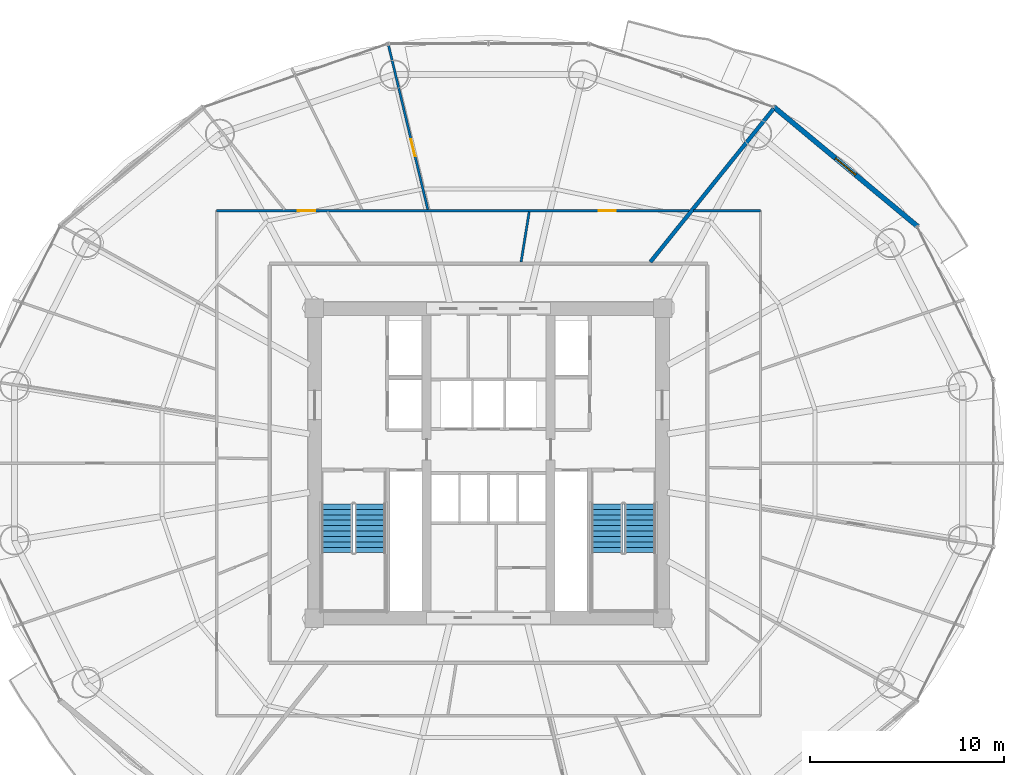
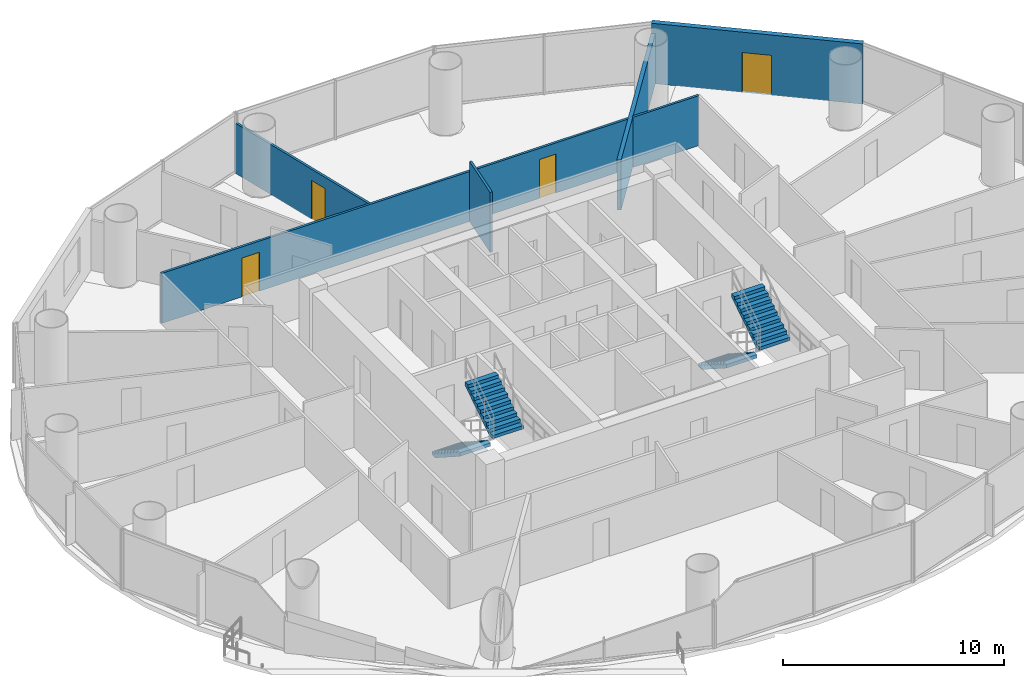
# One storey, part 25 of 29: 6 walls, 4 doors, 4 stair flights, 4 openings, 2 elements without a shape of their own.
"""IFC4 building model written with IfcOpenShell, lengths in metres."""

from ifc_helpers import new_model, si_unit, direction, frame, frame_2d, origin, place, context, subcontext, project, spatial, polyline, rectangle, outline, extrude, source, transform, mapped, material, layer, layer_set, type_object, element, fill, aggregate, save


model = new_model("IFC4")

# Units and contexts
model_context = context("Model", 3, precision=1e-05, world=origin(), true_north=direction((-0.2419218956, 0.970295726276)))
body_context = subcontext(model_context, "Body", "Model", "MODEL_VIEW")
ifc_project = project(units=[si_unit("LENGTHUNIT", "METRE"), si_unit("AREAUNIT", "SQUARE_METRE"), si_unit("VOLUMEUNIT", "CUBIC_METRE"), si_unit("PLANEANGLEUNIT", "RADIAN"), si_unit("MASSUNIT", "GRAM", prefix="KILO")], contexts=[model_context])

# Site, building, storey
site_placement = place(None, origin())
site = spatial("IfcSite", under=ifc_project, at=site_placement, CompositionType="ELEMENT")
building_placement = place(site_placement, origin())
building = spatial("IfcBuilding", under=site, at=building_placement, Name="Cobrevalo Terracotta Tower", CompositionType="ELEMENT")
storey_placement = place(building_placement, frame((0.0, 0.0, 112.199951171875)))
storey = spatial("IfcBuildingStorey", under=building, at=storey_placement, Name="L29", CompositionType="ELEMENT", Elevation=112.199951171875)

# Wall
ifc_material_1 = material(Name="Autoclaved aerated concrete block", Category="concrete")
ifc_layer_1 = layer(ifc_material_1, 0.199951171875)
ifc_layer_set_1 = layer_set([ifc_layer_1], Name="Autoclaved aerated concrete block")
wall_type_1 = type_object("IfcWallType", Name="Fire-rated stair, shaft & demising masonry wall 200 mm", PredefinedType="PARTITIONING", material=ifc_layer_set_1)
wall_1_placement = place(storey_placement, frame((46.35205078125, 37.18505859375, 0.0), z_axis=(0.0, 0.0, 1.0), x_axis=(0.626712884514, 0.779250255299, 0.0)))
element("IfcWall", 1, at=wall_1_placement, inside=storey, type_object=wall_type_1, Name="L29 interior partition IW-L29-DEM-1", PredefinedType="PARTITIONING", context=body_context, shape_type="SweptSolid", body=[
    extrude(rectangle(XDim=10.140869140625, YDim=0.199951171875, at=frame_2d((5.0703125, 0.0))), origin(), (0.0, 0.0, 1.0), 2.76708984375),
])

# Wall, opening, door
ifc_layer_2 = layer(ifc_material_1, 0.260009765625)
ifc_layer_set_2 = layer_set([ifc_layer_2], Name="Autoclaved aerated concrete block")
wall_type_2 = type_object("IfcWallType", Name="Recessed balcony loggia insulated exterior wall 260 mm", PredefinedType="SOLIDWALL", material=ifc_layer_set_2)
wall_2_placement = place(storey_placement, frame((60.15380859375, 39.01025390625, 0.0), z_axis=(0.0, 0.0, 1.0), x_axis=(-0.769242574941, 0.638956853706, 0.0)))
wall_2 = element("IfcWall", 2, at=wall_2_placement, inside=storey, type_object=wall_type_2, Name="L29 balcony loggia wall S02", PredefinedType="SOLIDWALL", context=body_context, shape_type="SweptSolid", body=[
    extrude(rectangle(XDim=9.68994140625, YDim=0.260009765625, at=frame_2d((4.844970703125, 0.0))), origin(), (0.0, 0.0, 1.0), 3.324951171875),
])
opening_1_placement = place(wall_2_placement, frame((4.169921875, 0.0, 0.0)))
opening_1 = element("IfcOpeningElement", 3, at=opening_1_placement, cuts=wall_2, Name="Opening ED-05", PredefinedType="OPENING", context=body_context, shape_type="SweptSolid", body=[
    extrude(rectangle(XDim=1.35009765625, YDim=2.199951171875, at=frame_2d((0.675048828125, 1.10009765625))), frame((0.0, 0.14013671875, 0.0), z_axis=(0.0, -1.0, 0.0), x_axis=(1.0, 0.0, 0.0)), (0.0, 0.0, 1.0), 0.280029296875),
])
ifc_material_2 = material(Name="Anodized aluminium and laminated glass", Category="aluminium")
door_type_1 = type_object("IfcDoorType", Name="Suite balcony acoustic glazed terrace door 1350x2200", OperationType="NOTDEFINED", PredefinedType="DOOR", material=ifc_material_2)
shared_shape_1 = source(origin(), body_context, "Body", "SweptSolid", [
    extrude(rectangle(XDim=1.35009765625, YDim=2.199951171875, at=frame_2d((0.675048828125, 1.10009765625))), frame((0.0, 0.02490234375, 0.0), z_axis=(0.0, -1.0, 0.0), x_axis=(1.0, 0.0, 0.0)), (0.0, 0.0, 1.0), 0.050048828125),
])
door_1_placement = place(opening_1_placement, frame((1.35009765625, 0.0, 0.0), z_axis=(0.0, 0.0, 1.0), x_axis=(-1.0, 0.0, 0.0)))
door_1 = element("IfcDoor", 4, at=door_1_placement, inside=storey, type_object=door_type_1, Name="L29 glazed balcony terrace door 1", OperationType="SINGLE_SWING_LEFT", OverallHeight=2.199951171875, OverallWidth=1.35009765625, PredefinedType="DOOR", context=body_context, shape_type="MappedRepresentation", body=[
    mapped(shared_shape_1, transform((0.0, 0.0, 0.0), scale=1.0)),
])
fill(opening_1, door_1)

# Wall, openings, doors
ifc_material_3 = material(Name="Gypsum board on steel stud", Category="steel")
ifc_layer_3 = layer(ifc_material_3, 0.1201171875)
ifc_layer_set_3 = layer_set([ifc_layer_3], Name="Gypsum board on steel stud")
wall_type_3 = type_object("IfcWallType", Name="Residential internal acoustic stud partition 120 mm", PredefinedType="PARTITIONING", material=ifc_layer_set_3)
wall_3_placement = place(storey_placement, frame((23.965087890625, 39.8349609375, 0.0), z_axis=(0.0, 0.0, 1.0), x_axis=(1.0, 0.0, 0.0)))
wall_3 = element("IfcWall", 5, at=wall_3_placement, inside=storey, type_object=wall_type_3, Name="L29 interior partition IW-L29-U1-RING2_0", PredefinedType="PARTITIONING", context=body_context, shape_type="SweptSolid", body=[
    extrude(rectangle(XDim=24.416015625, YDim=0.1201171875, at=frame_2d((12.2080078125, 0.0))), origin(), (0.0, 0.0, 1.0), 2.76708984375),
])
opening_2_placement = place(wall_3_placement, frame((4.192138671875, 0.0, 0.0)))
opening_2 = element("IfcOpeningElement", 6, at=opening_2_placement, cuts=wall_3, Name="Opening ID-12", PredefinedType="OPENING", context=body_context, shape_type="SweptSolid", body=[
    extrude(rectangle(XDim=0.89990234375, YDim=2.14990234375, at=frame_2d((0.449951171875, 1.074951171875))), frame((0.0, 0.070068359375, 0.0), z_axis=(0.0, -1.0, 0.0), x_axis=(1.0, 0.0, 0.0)), (0.0, 0.0, 1.0), 0.14013671875),
])
opening_3_placement = place(wall_3_placement, frame((19.727783203125, 0.0, 0.0)))
opening_3 = element("IfcOpeningElement", 7, at=opening_3_placement, cuts=wall_3, Name="Opening ID-19", PredefinedType="OPENING", context=body_context, shape_type="SweptSolid", body=[
    extrude(rectangle(XDim=0.860107421875, YDim=2.14990234375, at=frame_2d((0.43017578125, 1.074951171875))), frame((0.0, 0.070068359375, 0.0), z_axis=(0.0, -1.0, 0.0), x_axis=(1.0, 0.0, 0.0)), (0.0, 0.0, 1.0), 0.14013671875),
])
ifc_material_4 = material(Name="Moisture-sealed timber", Category="wood")
door_type_2 = type_object("IfcDoorType", Name="Suite bathroom internal timber door 860x2150", OperationType="NOTDEFINED", PredefinedType="DOOR", material=ifc_material_4)
shared_shape_2 = source(origin(), body_context, "Body", "SweptSolid", [
    extrude(rectangle(XDim=0.860107421875, YDim=2.14990234375, at=frame_2d((0.43017578125, 1.074951171875))), frame((0.0, 0.02490234375, 0.0), z_axis=(0.0, -1.0, 0.0), x_axis=(1.0, 0.0, 0.0)), (0.0, 0.0, 1.0), 0.050048828125),
])
door_2_placement = place(opening_3_placement, frame((0.860107421875, 0.0, 0.0), z_axis=(0.0, 0.0, 1.0), x_axis=(-1.0, 0.0, 0.0)))
door_2 = element("IfcDoor", 8, at=door_2_placement, inside=storey, type_object=door_type_2, Name="Flat L29A Guest Bathroom internal door", OperationType="SINGLE_SWING_LEFT", OverallHeight=2.14990234375, OverallWidth=0.860107421875, PredefinedType="DOOR", context=body_context, shape_type="MappedRepresentation", body=[
    mapped(shared_shape_2, transform((0.0, 0.0, 0.0), scale=1.0)),
])
fill(opening_3, door_2)
ifc_material_5 = material(Name="Engineered timber", Category="wood")
door_type_3 = type_object("IfcDoorType", Name="Internal residence & suite timber door 900x2150", OperationType="NOTDEFINED", PredefinedType="DOOR", material=ifc_material_5)
shared_shape_3 = source(origin(), body_context, "Body", "SweptSolid", [
    extrude(rectangle(XDim=0.89990234375, YDim=2.14990234375, at=frame_2d((0.449951171875, 1.074951171875))), frame((0.0, 0.02490234375, 0.0), z_axis=(0.0, -1.0, 0.0), x_axis=(1.0, 0.0, 0.0)), (0.0, 0.0, 1.0), 0.050048828125),
])
door_3_placement = place(opening_2_placement, origin())
door_3 = element("IfcDoor", 9, at=door_3_placement, inside=storey, type_object=door_type_3, Name="Flat L29A Principal Guest Bedroom internal door", OperationType="SINGLE_SWING_LEFT", OverallHeight=2.14990234375, OverallWidth=0.89990234375, PredefinedType="DOOR", context=body_context, shape_type="MappedRepresentation", body=[
    mapped(shared_shape_3, transform((0.0, 0.0, 0.0), scale=1.0)),
])
fill(opening_2, door_3)

# Wall, opening, door
wall_4_placement = place(storey_placement, frame((34.86474609375, 39.895263671875, 0.0), z_axis=(0.0, 0.0, 1.0), x_axis=(-0.23282725047, 0.97251810854, 0.0)))
wall_4 = element("IfcWall", 10, at=wall_4_placement, inside=storey, type_object=wall_type_3, Name="L29 interior partition IW-L29-U1-ORAD1", PredefinedType="PARTITIONING", context=body_context, shape_type="SweptSolid", body=[
    extrude(rectangle(XDim=8.71484375, YDim=0.1201171875, at=frame_2d((4.357421875, 0.0))), origin(), (0.0, 0.0, 1.0), 2.76708984375),
])
opening_4_placement = place(wall_4_placement, frame((2.83056640625, 0.0, 0.0)))
opening_4 = element("IfcOpeningElement", 11, at=opening_4_placement, cuts=wall_4, Name="Opening ID-12", PredefinedType="OPENING", context=body_context, shape_type="SweptSolid", body=[
    extrude(rectangle(XDim=0.89990234375, YDim=2.14990234375, at=frame_2d((0.449951171875, 1.074951171875))), frame((0.0, 0.070068359375, 0.0), z_axis=(0.0, -1.0, 0.0), x_axis=(1.0, 0.0, 0.0)), (0.0, 0.0, 1.0), 0.14013671875),
])
door_4_placement = place(opening_4_placement, frame((0.89990234375, 0.0, 0.0), z_axis=(0.0, 0.0, 1.0), x_axis=(-1.0, 0.0, 0.0)))
door_4 = element("IfcDoor", 12, at=door_4_placement, inside=storey, type_object=door_type_3, Name="Flat L29A Penthouse Living and Dining Room internal door", OperationType="SINGLE_SWING_RIGHT", OverallHeight=2.14990234375, OverallWidth=0.89990234375, PredefinedType="DOOR", context=body_context, shape_type="MappedRepresentation", body=[
    mapped(shared_shape_3, transform((0.0, 0.0, 0.0), scale=1.0)),
])
fill(opening_4, door_4)

# Walls
wall_5_placement = place(storey_placement, frame((39.678955078125, 37.18505859375, 0.0), z_axis=(0.0, 0.0, 1.0), x_axis=(0.159580767408, 0.98718487563, 0.0)))
element("IfcWall", 13, at=wall_5_placement, inside=storey, type_object=wall_type_3, Name="L29 interior partition IW-L29-U1-IRAD1", PredefinedType="PARTITIONING", context=body_context, shape_type="SweptSolid", body=[
    extrude(rectangle(XDim=2.622314453125, YDim=0.1201171875, at=frame_2d((1.31103515625, 0.0))), origin(), (0.0, 0.0, 1.0), 3.324951171875),
])
wall_6_placement = place(storey_placement, frame((48.585205078125, 39.8349609375, 0.0), z_axis=(0.0, 0.0, 1.0), x_axis=(1.0, 0.0, 0.0)))
element("IfcWall", 14, at=wall_6_placement, inside=storey, type_object=wall_type_3, Name="L29 interior partition IW-L29-U2-RING0_0", PredefinedType="PARTITIONING", context=body_context, shape_type="SweptSolid", body=[
    extrude(rectangle(XDim=3.44970703125, YDim=0.1201171875, at=frame_2d((1.724853515625, 0.0))), origin(), (0.0, 0.0, 1.0), 2.76708984375),
])

# Stair, stair flights
ifc_material_6 = material(Name="Concrete C50", Category="concrete")
stair_type = type_object("IfcStairType", Name="Core protected escape dogleg stair 1600", PredefinedType="HALF_TURN_STAIR", material=ifc_material_6)
stair_1_placement = place(storey_placement, origin())
stair_1 = element("IfcStair", 15, at=stair_1_placement, inside=storey, type_object=stair_type, Name="L29 Protected exit stair ST-1", PredefinedType="HALF_TURN_STAIR")
stair_flight_type = type_object("IfcStairFlightType", Name="Core protected escape dogleg stair 1600 flight", PredefinedType="STRAIGHT", material=ifc_material_6)
stair_flight_1_placement = place(storey_placement, frame((30.175048828125, 24.699951171875, 0.0), z_axis=(0.0, 0.0, 1.0), x_axis=(0.0, -1.0, 0.0)))
stair_flight_1 = element("IfcStairFlight", 16, at=stair_flight_1_placement, type_object=stair_flight_type, Name="ST-1 flight 1", NumberOfRisers=10, NumberOfTreads=9, PredefinedType="STRAIGHT", RiserHeight=0.18, TreadLength=0.28, context=body_context, shape_type="SweptSolid", body=[
    extrude(outline(polyline([(0.0, 0.0), (0.0, 0.179931640625), (0.280029296875, 0.179931640625), (0.280029296875, 0.360107421875), (0.56005859375, 0.360107421875), (0.56005859375, 0.5400390625), (0.840087890625, 0.5400390625), (0.840087890625, 0.719970703125), (1.1201171875, 0.719970703125), (1.1201171875, 0.89990234375), (1.39990234375, 0.89990234375), (1.39990234375, 1.080078125), (1.679931640625, 1.080078125), (1.679931640625, 1.260009765625), (1.9599609375, 1.260009765625), (1.9599609375, 1.43994140625), (2.239990234375, 1.43994140625), (2.239990234375, 1.6201171875), (2.52001953125, 1.6201171875), (2.52001953125, 1.800048828125), (2.52001953125, 1.429931640625), (0.295654296875, 0.0), (0.0, 0.0)])), frame((0.0, 0.800048828125, 0.0), z_axis=(0.0, -1.0, 0.0), x_axis=(1.0, 0.0, 0.0)), (0.0, 0.0, 1.0), 1.60009765625),
])
stair_flight_2_placement = place(storey_placement, frame((31.89501953125, 22.179931640625, 1.800048828125), z_axis=(0.0, 0.0, 1.0), x_axis=(0.0, 1.0, 0.0)))
stair_flight_2 = element("IfcStairFlight", 17, at=stair_flight_2_placement, type_object=stair_flight_type, Name="ST-1 flight 2", NumberOfRisers=10, NumberOfTreads=9, PredefinedType="STRAIGHT", RiserHeight=0.18, TreadLength=0.28, context=body_context, shape_type="SweptSolid", body=[
    extrude(outline(polyline([(0.0, 0.0), (0.0, 0.179931640625), (0.280029296875, 0.179931640625), (0.280029296875, 0.360107421875), (0.56005859375, 0.360107421875), (0.56005859375, 0.5400390625), (0.840087890625, 0.5400390625), (0.840087890625, 0.719970703125), (1.1201171875, 0.719970703125), (1.1201171875, 0.89990234375), (1.39990234375, 0.89990234375), (1.39990234375, 1.080078125), (1.679931640625, 1.080078125), (1.679931640625, 1.260009765625), (1.9599609375, 1.260009765625), (1.9599609375, 1.43994140625), (2.239990234375, 1.43994140625), (2.239990234375, 1.6201171875), (2.52001953125, 1.6201171875), (2.52001953125, 1.800048828125), (2.52001953125, 1.429931640625), (0.295654296875, 0.0), (0.0, 0.0)])), frame((0.0, 0.800048828125, 0.0), z_axis=(0.0, -1.0, 0.0), x_axis=(1.0, 0.0, 0.0)), (0.0, 0.0, 1.0), 1.60009765625),
])
aggregate(stair_1, [stair_flight_1, stair_flight_2])

stair_2_placement = place(storey_placement, origin())
stair_2 = element("IfcStair", 18, at=stair_2_placement, inside=storey, type_object=stair_type, Name="L29 Protected exit stair ST-2", PredefinedType="HALF_TURN_STAIR")
stair_flight_3_placement = place(storey_placement, frame((44.10498046875, 24.699951171875, 0.0), z_axis=(0.0, 0.0, 1.0), x_axis=(0.0, -1.0, 0.0)))
stair_flight_3 = element("IfcStairFlight", 19, at=stair_flight_3_placement, type_object=stair_flight_type, Name="ST-2 flight 1", NumberOfRisers=10, NumberOfTreads=9, PredefinedType="STRAIGHT", RiserHeight=0.18, TreadLength=0.28, context=body_context, shape_type="SweptSolid", body=[
    extrude(outline(polyline([(0.0, 0.0), (0.0, 0.179931640625), (0.280029296875, 0.179931640625), (0.280029296875, 0.360107421875), (0.56005859375, 0.360107421875), (0.56005859375, 0.5400390625), (0.840087890625, 0.5400390625), (0.840087890625, 0.719970703125), (1.1201171875, 0.719970703125), (1.1201171875, 0.89990234375), (1.39990234375, 0.89990234375), (1.39990234375, 1.080078125), (1.679931640625, 1.080078125), (1.679931640625, 1.260009765625), (1.9599609375, 1.260009765625), (1.9599609375, 1.43994140625), (2.239990234375, 1.43994140625), (2.239990234375, 1.6201171875), (2.52001953125, 1.6201171875), (2.52001953125, 1.800048828125), (2.52001953125, 1.429931640625), (0.295654296875, 0.0), (0.0, 0.0)])), frame((0.0, 0.800048828125, 0.0), z_axis=(0.0, -1.0, 0.0), x_axis=(1.0, 0.0, 0.0)), (0.0, 0.0, 1.0), 1.60009765625),
])
stair_flight_4_placement = place(storey_placement, frame((45.824951171875, 22.179931640625, 1.800048828125), z_axis=(0.0, 0.0, 1.0), x_axis=(0.0, 1.0, 0.0)))
stair_flight_4 = element("IfcStairFlight", 20, at=stair_flight_4_placement, type_object=stair_flight_type, Name="ST-2 flight 2", NumberOfRisers=10, NumberOfTreads=9, PredefinedType="STRAIGHT", RiserHeight=0.18, TreadLength=0.28, context=body_context, shape_type="SweptSolid", body=[
    extrude(outline(polyline([(0.0, 0.0), (0.0, 0.179931640625), (0.280029296875, 0.179931640625), (0.280029296875, 0.360107421875), (0.56005859375, 0.360107421875), (0.56005859375, 0.5400390625), (0.840087890625, 0.5400390625), (0.840087890625, 0.719970703125), (1.1201171875, 0.719970703125), (1.1201171875, 0.89990234375), (1.39990234375, 0.89990234375), (1.39990234375, 1.080078125), (1.679931640625, 1.080078125), (1.679931640625, 1.260009765625), (1.9599609375, 1.260009765625), (1.9599609375, 1.43994140625), (2.239990234375, 1.43994140625), (2.239990234375, 1.6201171875), (2.52001953125, 1.6201171875), (2.52001953125, 1.800048828125), (2.52001953125, 1.429931640625), (0.295654296875, 0.0), (0.0, 0.0)])), frame((0.0, 0.800048828125, 0.0), z_axis=(0.0, -1.0, 0.0), x_axis=(1.0, 0.0, 0.0)), (0.0, 0.0, 1.0), 1.60009765625),
])
aggregate(stair_2, [stair_flight_3, stair_flight_4])

save(model, "model.ifc")
